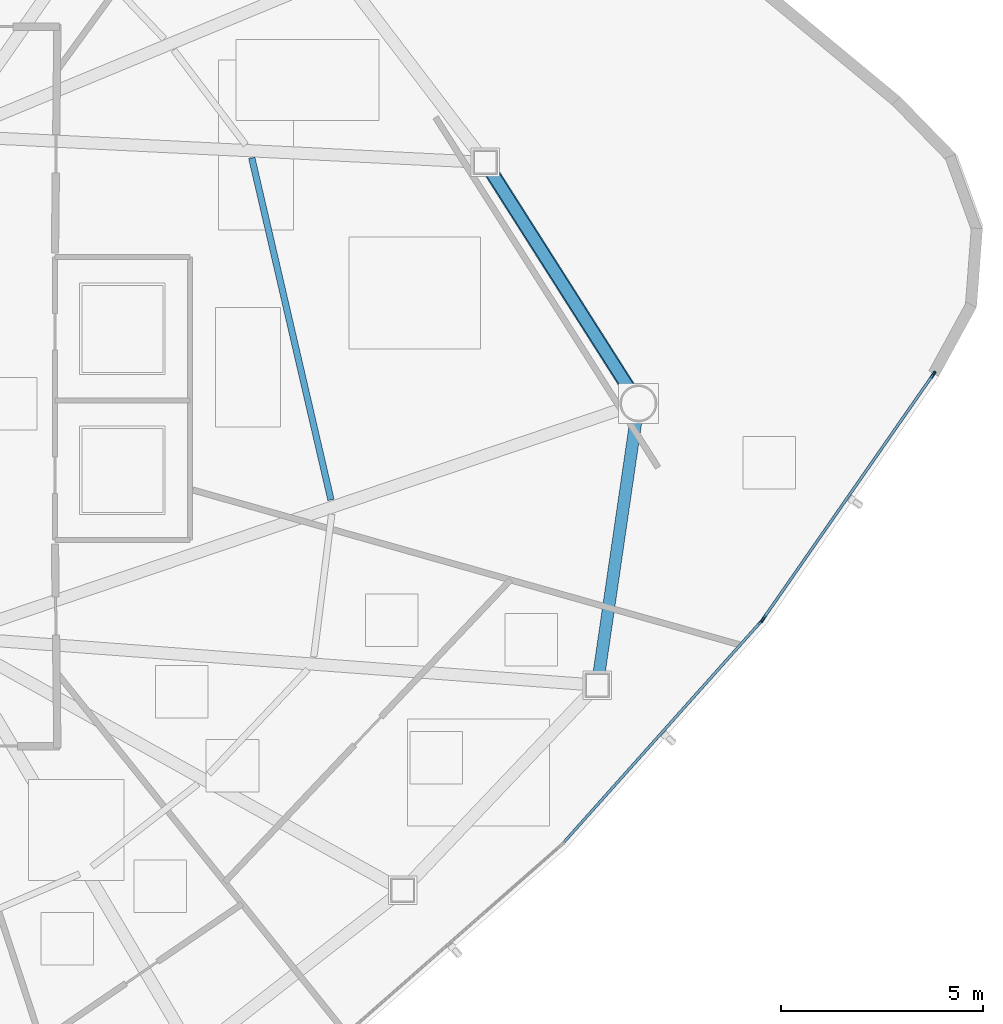
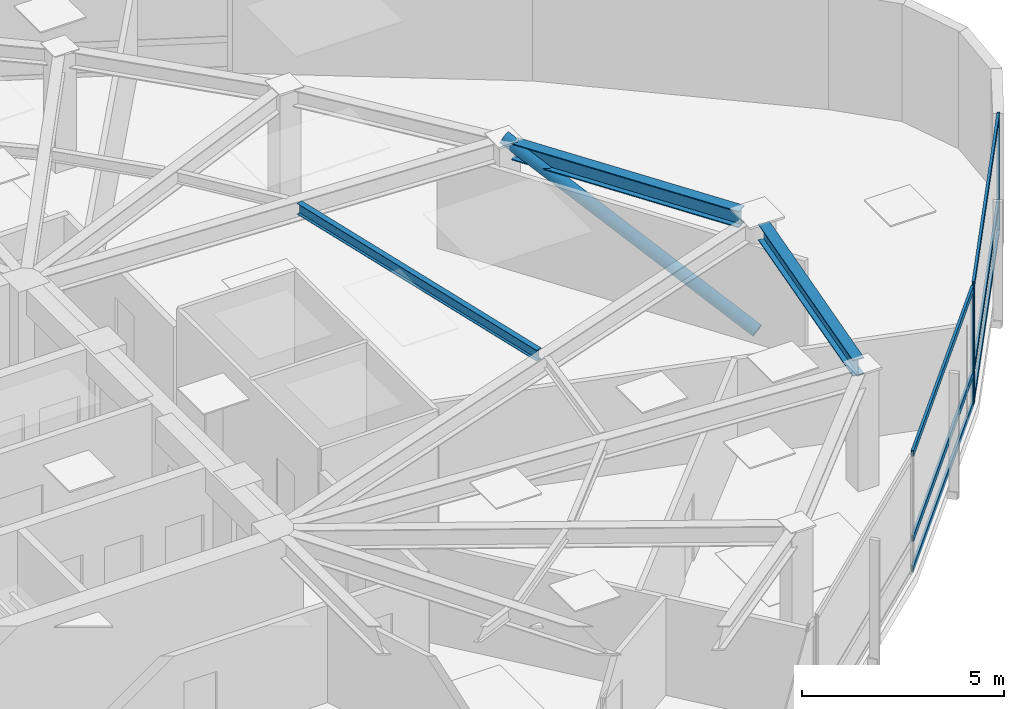
# One storey, part 6 of 17: 10 members, 3 beams, 2 elements without a shape of their own.
"""IFC4 building model written with IfcOpenShell, lengths in metres."""

import ifcopenshell
import ifcopenshell.guid

model = None  # the IFC model being written
_history = None  # IfcOwnerHistory: only IFC2X3 demands one
_inside = {}  # id of a spatial element -> (the spatial element, [elements in it])
_under = {}  # id of a project, library or spatial element -> (it, [spatial elements below it])
_declared = {}  # id of a project -> (the project, [libraries it declares])
_typed = {}  # id of a type object -> (the type object, [elements of that type])
_made_of = {}  # id of a material, layer set ... -> (it, [elements and type objects made of it])


def new_model(schema):
    """Start an empty IFC model of exactly this schema.

    Asked for "IFC4X3", IfcOpenShell would pick the latest addendum, in which some entities
    have other attributes; the version numbers below select the first issue.
    IFC2X3 requires an IfcOwnerHistory on every rooted entity: one is made here for all.
    """
    global model, _history
    if schema == "IFC4X3":
        model = ifcopenshell.file(schema_version=(4, 3, 0, 0))
    else:
        model = ifcopenshell.file(schema=schema)
    _inside.clear()
    _under.clear()
    _declared.clear()
    _typed.clear()
    _made_of.clear()
    _history = None
    if model.schema == "IFC2X3":
        org = make("IfcOrganization", Name="unknown")
        user = make(
            "IfcPersonAndOrganization",
            ThePerson=make("IfcPerson", FamilyName="unknown"),
            TheOrganization=org,
        )
        app = make(
            "IfcApplication",
            ApplicationDeveloper=org,
            Version="unknown",
            ApplicationFullName="unknown",
            ApplicationIdentifier="unknown",
        )
        _history = make(
            "IfcOwnerHistory",
            OwningUser=user,
            OwningApplication=app,
            ChangeAction="ADDED",
            CreationDate=0,
        )
    return model


def make(cls, **values):
    """One entity of the class cls with the attributes given. An attribute that is None is left unset."""
    return model.create_entity(
        cls, **{name: value for name, value in values.items() if value is not None}
    )


def rooted(cls, **values):
    """An entity with a GlobalId (a new one), such as an element, a storey or a relation."""
    return make(cls, GlobalId=ifcopenshell.guid.new(), OwnerHistory=_history, **values)


def si_unit(unit_type, name, prefix=None):
    """IfcSIUnit, for example si_unit("LENGTHUNIT", "METRE", prefix="MILLI")."""
    return make("IfcSIUnit", UnitType=unit_type, Prefix=prefix, Name=name)


def assignment(units):
    """IfcUnitAssignment: the units of a project."""
    return None if units is None else make("IfcUnitAssignment", Units=units)


def point(xyz):
    """IfcCartesianPoint."""
    return None if xyz is None else make("IfcCartesianPoint", Coordinates=xyz)


def direction(xyz):
    """IfcDirection."""
    return None if xyz is None else make("IfcDirection", DirectionRatios=xyz)


def frame(location, z_axis=None, x_axis=None):
    """IfcAxis2Placement3D, a coordinate frame: its origin and axes. An axis left out is left unset."""
    return make(
        "IfcAxis2Placement3D",
        Location=point(location),
        Axis=direction(z_axis),
        RefDirection=direction(x_axis),
    )


def frame_2d(location, x_axis=None):
    """IfcAxis2Placement2D, a coordinate frame in the plane: its origin and x axis."""
    return make(
        "IfcAxis2Placement2D", Location=point(location), RefDirection=direction(x_axis)
    )


def origin():
    """The frame at (0, 0, 0) with its axes left unset."""
    return frame((0.0, 0.0, 0.0))


def origin_2d():
    """The frame at (0, 0) in the plane with its x axis left unset."""
    return frame_2d((0.0, 0.0))


def place(relative_to, where):
    """IfcLocalPlacement: puts the frame where relative to a parent placement (None: the world)."""
    return make(
        "IfcLocalPlacement", PlacementRelTo=relative_to, RelativePlacement=where
    )


def context(
    kind, dimensions, precision=None, world=None, true_north=None, identifier=None
):
    """IfcGeometricRepresentationContext, for example the 3D "Model" context."""
    return make(
        "IfcGeometricRepresentationContext",
        ContextIdentifier=identifier,
        ContextType=kind,
        CoordinateSpaceDimension=dimensions,
        Precision=precision,
        WorldCoordinateSystem=world,
        TrueNorth=true_north,
    )


def subcontext(parent, identifier, kind, view, scale=None):
    """IfcGeometricRepresentationSubContext, for example "Body" below "Model"."""
    return make(
        "IfcGeometricRepresentationSubContext",
        ContextIdentifier=identifier,
        ContextType=kind,
        ParentContext=parent,
        TargetScale=scale,
        TargetView=view,
    )


def project(units=None, contexts=None):
    """IfcProject with its units and contexts."""
    return rooted(
        "IfcProject",
        Name="project",
        RepresentationContexts=contexts,
        UnitsInContext=assignment(units),
    )


def spatial(cls, under=None, at=None, **own):
    """A site, building, storey or space (cls), placed at a placement, below another one or the project."""
    s = rooted(cls, ObjectPlacement=at, **own)
    if under is not None:
        _under.setdefault(under.id(), (under, []))[1].append(s)
    return s


def profile(cls, at=None, kind="AREA", **sizes):
    """A parametric profile (cls). Its sizes go by their IFC names, for example OverallWidth=200.0."""
    return make(cls, ProfileType=kind, Position=at, **sizes)


def hollow_rectangle(**sizes):
    """IfcRectangleHollowProfileDef."""
    return profile("IfcRectangleHollowProfileDef", **sizes)


def hollow_circle(**sizes):
    """IfcCircleHollowProfileDef."""
    return profile("IfcCircleHollowProfileDef", **sizes)


def i_section(**sizes):
    """IfcIShapeProfileDef."""
    return profile("IfcIShapeProfileDef", **sizes)


def extrude(swept, where, along, depth):
    """IfcExtrudedAreaSolid: the profile swept, set in the frame where, extruded along a direction by depth."""
    return make(
        "IfcExtrudedAreaSolid",
        SweptArea=swept,
        Position=where,
        ExtrudedDirection=direction(along),
        Depth=depth,
    )


def shape(context_of_items, identifier, shape_type, items):
    """IfcShapeRepresentation: the items that make up one representation, for example the "Body"."""
    return make(
        "IfcShapeRepresentation",
        ContextOfItems=context_of_items,
        RepresentationIdentifier=identifier,
        RepresentationType=shape_type,
        Items=items,
    )


def source(mapping_origin, context_of_items, identifier, shape_type, items):
    """IfcRepresentationMap: a shape defined once, which mapped items show again and again."""
    return make(
        "IfcRepresentationMap",
        MappingOrigin=mapping_origin,
        MappedRepresentation=shape(context_of_items, identifier, shape_type, items),
    )


def transform(
    local_origin,
    x_axis=None,
    y_axis=None,
    z_axis=None,
    scale=None,
    scale2=None,
    scale3=None,
    uniform=True,
):
    """IfcCartesianTransformationOperator3D, or its non-uniform kind. x_axis, y_axis, z_axis: its Axis1, 2, 3."""
    if uniform:
        return make(
            "IfcCartesianTransformationOperator3D",
            Axis1=direction(x_axis),
            Axis2=direction(y_axis),
            LocalOrigin=point(local_origin),
            Scale=scale,
            Axis3=direction(z_axis),
        )
    return make(
        "IfcCartesianTransformationOperator3DnonUniform",
        Axis1=direction(x_axis),
        Axis2=direction(y_axis),
        LocalOrigin=point(local_origin),
        Scale=scale,
        Axis3=direction(z_axis),
        Scale2=scale2,
        Scale3=scale3,
    )


def mapped(mapping_source, mapping_target):
    """IfcMappedItem: shows the shape of a source again, moved by a transform."""
    return make(
        "IfcMappedItem", MappingSource=mapping_source, MappingTarget=mapping_target
    )


def material(Name=None, Category=None):
    """IfcMaterial."""
    return make("IfcMaterial", Name=Name, Category=Category)


def layer(
    of_material, thickness, ventilated=None, Name=None, Category=None, Priority=None
):
    """IfcMaterialLayer: one layer of a wall or slab, of a material (None: an air gap)."""
    return make(
        "IfcMaterialLayer",
        Material=of_material,
        LayerThickness=thickness,
        IsVentilated=ventilated,
        Name=Name,
        Category=Category,
        Priority=Priority,
    )


def layer_set(layers, Name=None):
    """IfcMaterialLayerSet."""
    return make("IfcMaterialLayerSet", MaterialLayers=layers, LayerSetName=Name)


def material_profile(
    of_material, cross_section, Name=None, Category=None, Priority=None
):
    """IfcMaterialProfile: a cross section and its material."""
    return make(
        "IfcMaterialProfile",
        Name=Name,
        Material=of_material,
        Profile=cross_section,
        Priority=Priority,
        Category=Category,
    )


def profile_set(profiles, Name=None, composite=None):
    """IfcMaterialProfileSet."""
    return make(
        "IfcMaterialProfileSet",
        Name=Name,
        MaterialProfiles=profiles,
        CompositeProfile=composite,
    )


def made_of(thing, what):
    """Note that an element or type object is made of a material, layer set ...; save() writes the relation."""
    if what is not None:
        _made_of.setdefault(what.id(), (what, []))[1].append(thing)
    return thing


def type_object(cls, material=None, **own):
    """A type object (cls), such as IfcWallType, which elements share."""
    return made_of(rooted(cls, **own), material)


def type_shapes(of_type, sources):
    """Give a type object the sources (RepresentationMaps) that its elements show as mapped items."""
    of_type.RepresentationMaps = sources


def element(
    cls,
    number,
    at=None,
    inside=None,
    cuts=None,
    type_object=None,
    material=None,
    context=None,
    identifier="Body",
    shape_type=None,
    held_by="IfcProductDefinitionShape",
    body=None,
    shapes=None,
    **own,
):
    """One element of the class cls, such as IfcWall. Its Tag is "e" and its number.

    at: its placement. inside: the storey or other place that contains it. cuts: it is an
    opening in that element (IfcRelVoidsElement). A single representation is given by context,
    identifier, shape_type and body (its items); several are given by shapes. held_by: the class
    of the entity that holds the representations. save() writes the other relations.
    """
    e = rooted(cls, Tag="e%d" % number, ObjectPlacement=at, **own)
    if body is not None:
        shapes = [shape(context, identifier, shape_type, body)]
    if shapes is not None:
        e.Representation = make(held_by, Representations=shapes)
    if inside is not None:
        _inside.setdefault(inside.id(), (inside, []))[1].append(e)
    if cuts is not None:
        rooted(
            "IfcRelVoidsElement", RelatingBuildingElement=cuts, RelatedOpeningElement=e
        )
    if type_object is not None:
        _typed.setdefault(type_object.id(), (type_object, []))[1].append(e)
    return made_of(e, material)


def aggregate(whole, parts):
    """IfcRelAggregates: a whole, such as a stair, and the parts it consists of."""
    return rooted("IfcRelAggregates", RelatingObject=whole, RelatedObjects=parts)


def save(model, path):
    """Write the relations noted so far, then the file.

    IfcRelAggregates (storeys below a building ...), IfcRelContainedInSpatialStructure (elements
    in a storey), IfcRelDefinesByType, IfcRelAssociatesMaterial and IfcRelDeclares: one each for
    every whole, place, type object, material and project.
    """
    for whole, parts in _under.values():
        aggregate(whole, parts)
    for where, things in _inside.values():
        rooted(
            "IfcRelContainedInSpatialStructure",
            RelatedElements=things,
            RelatingStructure=where,
        )
    for kind, things in _typed.values():
        rooted("IfcRelDefinesByType", RelatedObjects=things, RelatingType=kind)
    for what, things in _made_of.values():
        rooted("IfcRelAssociatesMaterial", RelatedObjects=things, RelatingMaterial=what)
    for by, libraries in _declared.values():
        rooted("IfcRelDeclares", RelatingContext=by, RelatedDefinitions=libraries)
    model.write(path)


model = new_model("IFC4")

# Units and contexts
model_context = context("Model", 3, precision=1e-05, world=origin(), true_north=direction((0.0, 1.0)))
body_context = subcontext(model_context, "Body", "Model", "MODEL_VIEW")
ifc_project = project(units=[si_unit("LENGTHUNIT", "METRE"), si_unit("AREAUNIT", "SQUARE_METRE"), si_unit("VOLUMEUNIT", "CUBIC_METRE"), si_unit("PLANEANGLEUNIT", "RADIAN"), si_unit("MASSUNIT", "GRAM", prefix="KILO")], contexts=[model_context])

# Site, building, storey
site_placement = place(None, origin())
site = spatial("IfcSite", under=ifc_project, at=site_placement, CompositionType="ELEMENT")
building_placement = place(site_placement, origin())
building = spatial("IfcBuilding", under=site, at=building_placement, Name="Tavelor Broadcast Tower", CompositionType="ELEMENT")
storey_placement = place(building_placement, frame((0.0, 0.0, 192.60009765625)))
storey = spatial("IfcBuildingStorey", under=building, at=storey_placement, Name="L46", CompositionType="ELEMENT", Elevation=192.60009765625)

# Beams
ifc_material_1 = material(Name="Steel S355", Category="steel")
ifc_material_profile_1 = material_profile(ifc_material_1, i_section(OverallWidth=0.159912109375, OverallDepth=0.330078125, WebThickness=0.007568359375, FlangeThickness=0.011474609375, at=origin_2d()), Name="IPE 330")
ifc_profile_set_1 = profile_set([ifc_material_profile_1], Name="Steel S355")
beam_type_1 = type_object("IfcBeamType", Name="Composite Floor Joist T4 IPE 330", PredefinedType="JOIST", material=ifc_profile_set_1)
beam_1_placement = place(storey_placement, frame((66.069091796875, 42.195068359375, 3.385009765625), z_axis=(-0.225617102792, 0.974216055569, 0.0), x_axis=(-0.974216055569, -0.225617102792, 0.0)))
element("IfcBeam", 1, at=beam_1_placement, inside=storey, type_object=beam_type_1, Name="L46 Secondary Composite Floor Joist 13", PredefinedType="JOIST", context=body_context, shape_type="SweptSolid", body=[
    extrude(i_section(OverallWidth=0.159912109375, OverallDepth=0.330078125, WebThickness=0.007568359375, FlangeThickness=0.011474609375, at=origin_2d()), origin(), (0.0, 0.0, 1.0), 8.683837890625),
])
ifc_material_profile_2 = material_profile(ifc_material_1, i_section(OverallWidth=0.300048828125, OverallDepth=0.5, WebThickness=0.014404296875, FlangeThickness=0.028076171875, at=origin_2d()), Name="HEB 500")
ifc_profile_set_2 = profile_set([ifc_material_profile_2], Name="Steel S355")
beam_type_2 = type_object("IfcBeamType", Name="Perimeter Spandrel Beam T4 HEB 500", PredefinedType="SPANDREL", material=ifc_profile_set_2)
beam_2_placement = place(storey_placement, frame((72.700927734375, 37.892333984375, 3.2998046875), z_axis=(0.144298223799, 0.989534245293, 0.0), x_axis=(-0.989534245293, 0.144298223799, 0.0)))
element("IfcBeam", 2, at=beam_2_placement, inside=storey, type_object=beam_type_2, Name="L46 Framed-Tube Ring Spandrel 12", PredefinedType="SPANDREL", context=body_context, shape_type="SweptSolid", body=[
    extrude(i_section(OverallWidth=0.300048828125, OverallDepth=0.5, WebThickness=0.014404296875, FlangeThickness=0.028076171875, at=origin_2d()), origin(), (0.0, 0.0, 1.0), 6.3193359375),
])
beam_3_placement = place(storey_placement, frame((73.440673828125, 44.94970703125, 3.2998046875), z_axis=(-0.536287336864, 0.844035480486, 0.0), x_axis=(-0.844035480486, -0.536287336864, 0.0)))
element("IfcBeam", 3, at=beam_3_placement, inside=storey, type_object=beam_type_2, Name="L46 Framed-Tube Ring Spandrel 13", PredefinedType="SPANDREL", context=body_context, shape_type="SweptSolid", body=[
    extrude(i_section(OverallWidth=0.300048828125, OverallDepth=0.5, WebThickness=0.014404296875, FlangeThickness=0.028076171875, at=origin_2d()), origin(), (0.0, 0.0, 1.0), 6.340087890625),
])

# Member
ifc_material_profile_3 = material_profile(ifc_material_1, hollow_circle(Radius=0.177734375, WallThickness=0.01611328125, at=origin_2d()), Name="CHS 355.6x16")
ifc_profile_set_3 = profile_set([ifc_material_profile_3], Name="Steel S355")
member_type_1 = type_object("IfcMemberType", Name="Perimeter Tube Brace T4 CHS 355.6x16", PredefinedType="BRACE", material=ifc_profile_set_3)
member_1_placement = place(storey_placement, frame((73.676025390625, 44.57958984375, 0.0), z_axis=(-0.479245396229, 0.754215683798, 0.448868079179), x_axis=(-0.844021198089, -0.536309814544, 0.0)))
element("IfcMember", 4, at=member_1_placement, inside=storey, type_object=member_type_1, Name="L46 Corner Tube Diagonal Brace 3", PredefinedType="BRACE", context=body_context, shape_type="SweptSolid", body=[
    extrude(hollow_circle(Radius=0.177734375, WallThickness=0.01611328125, at=origin_2d()), origin(), (0.0, 0.0, 1.0), 7.908447265625),
])

# Curtain wall, member
ifc_material_2 = material(Name="Architectural Anodized Aluminium", Category="aluminium")
ifc_layer = layer(ifc_material_2, 0.18994140625)
ifc_layer_set = layer_set([ifc_layer], Name="Architectural Anodized Aluminium")
curtain_wall_type = type_object("IfcCurtainWallType", Name="Tower Mid-Zone Acoustic Curtain Wall CW03", PredefinedType="NOTDEFINED", material=ifc_layer_set)
curtain_wall_1_placement = place(storey_placement, origin())
curtain_wall_1 = element("IfcCurtainWall", 5, at=curtain_wall_1_placement, inside=storey, type_object=curtain_wall_type, Name="L46 Curtain Wall CW03 Run 499", PredefinedType="NOTDEFINED")
ifc_material_profile_4 = material_profile(ifc_material_2, hollow_rectangle(XDim=0.068115234375, YDim=0.18994140625, WallThickness=0.02197265625, at=origin_2d()), Name="RHS 68x190x22")
ifc_profile_set_4 = profile_set([ifc_material_profile_4], Name="Architectural Anodized Aluminium")
member_type_2 = type_object("IfcMemberType", Name="CW03 Extruded Aluminium Mullion 68x190", PredefinedType="MULLION", material=ifc_profile_set_4)
shared_shape_1 = source(origin(), body_context, "Body", "SweptSolid", [
    extrude(hollow_rectangle(XDim=0.068115234375, YDim=0.18994140625, WallThickness=0.02197265625, at=origin_2d()), origin(), (0.0, 0.0, 1.0), 3.5498046875),
])
type_shapes(member_type_2, [shared_shape_1])
member_2_placement = place(storey_placement, frame((76.7060546875, 39.17724609375, 0.0), z_axis=(0.0, 0.0, 1.0), x_axis=(-0.745774980967, 0.666197926868, 0.0)))
member_2 = element("IfcMember", 6, at=member_2_placement, type_object=member_type_2, Name="CW03 mullion 2", PredefinedType="MULLION", context=body_context, shape_type="MappedRepresentation", body=[
    mapped(shared_shape_1, transform((0.0, 0.0, 0.0), scale=1.0)),
])

# Curtain wall, members
curtain_wall_2_placement = place(storey_placement, origin())
curtain_wall_2 = element("IfcCurtainWall", 7, at=curtain_wall_2_placement, inside=storey, type_object=curtain_wall_type, Name="L46 Curtain Wall CW03 Run 500", PredefinedType="NOTDEFINED")
member_3_placement = place(storey_placement, frame((76.766845703125, 39.25390625, 0.0), z_axis=(0.0, 0.0, 1.0), x_axis=(-0.820908222369, 0.571060146085, 0.0)))
member_3 = element("IfcMember", 8, at=member_3_placement, type_object=member_type_2, Name="CW03 mullion 1", PredefinedType="MULLION", context=body_context, shape_type="MappedRepresentation", body=[
    mapped(shared_shape_1, transform((0.0, 0.0, 0.0), scale=1.0)),
])
member_4_placement = place(storey_placement, frame((80.966796875, 45.29150390625, 0.0), z_axis=(0.0, 0.0, 1.0), x_axis=(-0.820908222369, 0.571060146085, 0.0)))
member_4 = element("IfcMember", 9, at=member_4_placement, type_object=member_type_2, Name="CW03 mullion 2", PredefinedType="MULLION", context=body_context, shape_type="MappedRepresentation", body=[
    mapped(shared_shape_1, transform((0.0, 0.0, 0.0), scale=1.0)),
])
ifc_material_profile_5 = material_profile(ifc_material_2, hollow_rectangle(XDim=0.068115234375, YDim=0.18994140625, WallThickness=0.02197265625, at=origin_2d()), Name="RHS 68x190x22")
ifc_profile_set_5 = profile_set([ifc_material_profile_5], Name="Architectural Anodized Aluminium")
member_type_3 = type_object("IfcMemberType", Name="CW03 Extruded Aluminium Transom 68x190", PredefinedType="USERDEFINED", material=ifc_profile_set_5)
shared_shape_2 = source(origin(), body_context, "Body", "SweptSolid", [
    extrude(hollow_rectangle(XDim=0.068115234375, YDim=0.18994140625, WallThickness=0.02197265625, at=origin_2d()), origin(), (0.0, 0.0, 1.0), 7.286376953125),
])
member_5_placement = place(storey_placement, frame((76.7861328125, 39.281982421875, 0.033935546875), z_axis=(0.571076268593, 0.820897006603, 0.0), x_axis=(-0.820897006603, 0.571076268593, 0.0)))
member_5 = element("IfcMember", 10, at=member_5_placement, type_object=member_type_3, Name="CW03 transom 1.1", ObjectType="TRANSOM", PredefinedType="USERDEFINED", context=body_context, shape_type="MappedRepresentation", body=[
    mapped(shared_shape_2, transform((0.0, 0.0, 0.0), scale=1.0)),
])
member_6_placement = place(storey_placement, frame((76.7861328125, 39.281982421875, 0.949951171875), z_axis=(0.571076268593, 0.820897006603, 0.0), x_axis=(-0.820897006603, 0.571076268593, 0.0)))
member_6 = element("IfcMember", 11, at=member_6_placement, type_object=member_type_3, Name="CW03 transom 1.2", ObjectType="TRANSOM", PredefinedType="USERDEFINED", context=body_context, shape_type="MappedRepresentation", body=[
    mapped(shared_shape_2, transform((0.0, 0.0, 0.0), scale=1.0)),
])
member_7_placement = place(storey_placement, frame((76.7861328125, 39.281982421875, 3.515869140625), z_axis=(0.571076268593, 0.820897006603, 0.0), x_axis=(-0.820897006603, 0.571076268593, 0.0)))
member_7 = element("IfcMember", 12, at=member_7_placement, type_object=member_type_3, Name="CW03 transom 1.3", ObjectType="TRANSOM", PredefinedType="USERDEFINED", context=body_context, shape_type="MappedRepresentation", body=[
    mapped(shared_shape_2, transform((0.0, 0.0, 0.0), scale=1.0)),
])
aggregate(curtain_wall_2, [member_3, member_4, member_5, member_6, member_7])

# Member
shared_shape_3 = source(origin(), body_context, "Body", "SweptSolid", [
    extrude(hollow_rectangle(XDim=0.068115234375, YDim=0.18994140625, WallThickness=0.02197265625, at=origin_2d()), origin(), (0.0, 0.0, 1.0), 7.270751953125),
])
type_shapes(member_type_3, [shared_shape_2, shared_shape_3])
member_8_placement = place(storey_placement, frame((71.83984375, 33.7294921875, 0.033935546875), z_axis=(0.666195915162, 0.745776778012, 0.0), x_axis=(-0.745776778012, 0.666195915162, 0.0)))
member_8 = element("IfcMember", 13, at=member_8_placement, type_object=member_type_3, Name="CW03 transom 1.1", ObjectType="TRANSOM", PredefinedType="USERDEFINED", context=body_context, shape_type="MappedRepresentation", body=[
    mapped(shared_shape_3, transform((0.0, 0.0, 0.0), scale=1.0)),
])

member_9_placement = place(storey_placement, frame((71.83984375, 33.7294921875, 0.949951171875), z_axis=(0.666195915162, 0.745776778012, 0.0), x_axis=(-0.745776778012, 0.666195915162, 0.0)))
member_9 = element("IfcMember", 14, at=member_9_placement, type_object=member_type_3, Name="CW03 transom 1.2", ObjectType="TRANSOM", PredefinedType="USERDEFINED", context=body_context, shape_type="MappedRepresentation", body=[
    mapped(shared_shape_3, transform((0.0, 0.0, 0.0), scale=1.0)),
])

member_10_placement = place(storey_placement, frame((71.83984375, 33.7294921875, 3.515869140625), z_axis=(0.666195915162, 0.745776778012, 0.0), x_axis=(-0.745776778012, 0.666195915162, 0.0)))
member_10 = element("IfcMember", 15, at=member_10_placement, type_object=member_type_3, Name="CW03 transom 1.3", ObjectType="TRANSOM", PredefinedType="USERDEFINED", context=body_context, shape_type="MappedRepresentation", body=[
    mapped(shared_shape_3, transform((0.0, 0.0, 0.0), scale=1.0)),
])

aggregate(curtain_wall_1, [member_2, member_8, member_9, member_10])

save(model, "model.ifc")
